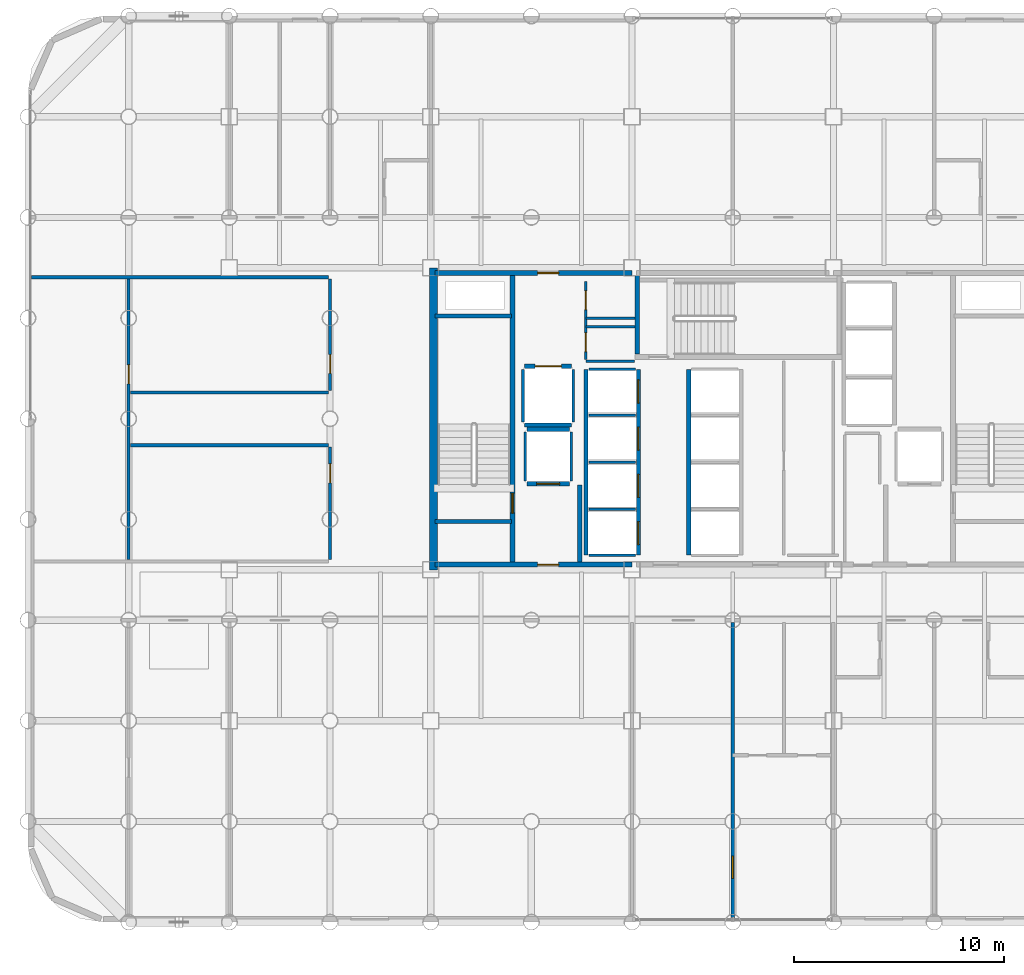
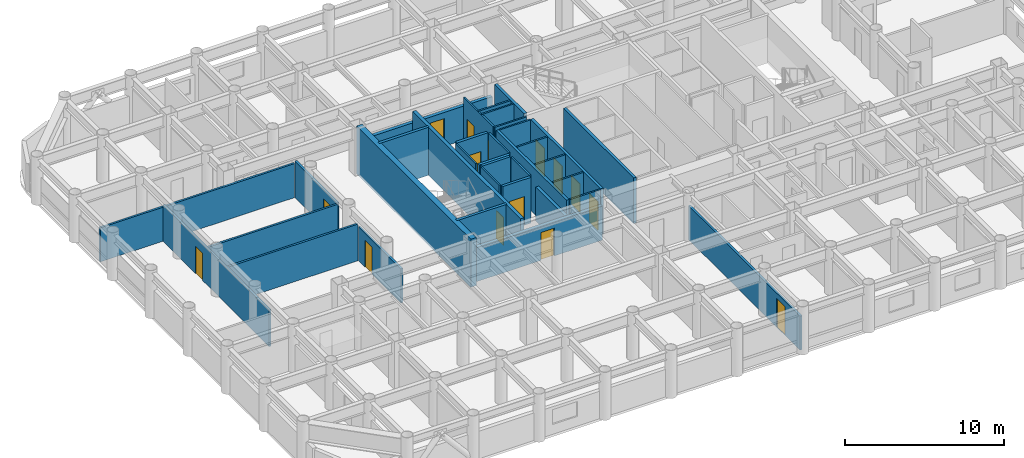
# One storey, part 16 of 22: 35 walls, 15 doors, 15 openings.
"""IFC4 building model written with IfcOpenShell, lengths in metres."""

from ifc_helpers import new_model, si_unit, direction, frame, frame_2d, origin, place, context, subcontext, project, spatial, rectangle, extrude, material, layer, layer_set, type_object, element, fill, save


model = new_model("IFC4")

# Units and contexts
model_context = context("Model", 3, precision=1e-05, world=origin(), true_north=direction((0.0, 1.0)))
body_context = subcontext(model_context, "Body", "Model", "MODEL_VIEW")
ifc_project = project(units=[si_unit("LENGTHUNIT", "METRE"), si_unit("AREAUNIT", "SQUARE_METRE"), si_unit("VOLUMEUNIT", "CUBIC_METRE"), si_unit("PLANEANGLEUNIT", "RADIAN"), si_unit("MASSUNIT", "GRAM", prefix="KILO")], contexts=[model_context])

# Site, building, storey
site_placement = place(None, origin())
site = spatial("IfcSite", under=ifc_project, at=site_placement, CompositionType="ELEMENT")
building_placement = place(site_placement, origin())
building = spatial("IfcBuilding", under=site, at=building_placement, Name="Kallvorn Hotel Tower", CompositionType="ELEMENT")
storey_placement = place(building_placement, frame((0.0, 0.0, 48.5)))
storey = spatial("IfcBuildingStorey", under=building, at=storey_placement, Name="L10", CompositionType="ELEMENT", Elevation=48.5)

# Wall
ifc_material_1 = material(Name="Concrete C50/60", Category="concrete")
ifc_layer_1 = layer(ifc_material_1, 0.39990234375)
ifc_layer_set_1 = layer_set([ifc_layer_1], Name="WL_CORE_400")
wall_type_1 = type_object("IfcWallType", Name="WL_CORE_400", PredefinedType="SHEAR", material=ifc_layer_set_1)
wall_1_placement = place(storey_placement, frame((-14.264892578125, -7.199951171875, -0.179931640625), z_axis=(0.0, 0.0, 1.0), x_axis=(0.0, 1.0, 0.0)))
element("IfcWall", 1, at=wall_1_placement, inside=storey, type_object=wall_type_1, Name="L10 Core West Shear Wall", PredefinedType="SHEAR", context=body_context, shape_type="SweptSolid", body=[
    extrude(rectangle(XDim=14.39990234375, YDim=0.39990234375, at=frame_2d((7.199951171875, 0.0))), origin(), (0.0, 0.0, 1.0), 3.699951171875),
])

# Wall, opening, door
ifc_material_2 = material(Name="Fire-rated double-layer acoustic gypsum drywall EI 60")
ifc_layer_2 = layer(ifc_material_2, 0.159912109375)
ifc_layer_set_2 = layer_set([ifc_layer_2], Name="WL_DEMISE_160")
wall_type_2 = type_object("IfcWallType", Name="WL_DEMISE_160", PredefinedType="PARTITIONING", material=ifc_layer_set_2)
wall_2_placement = place(storey_placement, frame((0.0, -23.794921875, 0.0), z_axis=(0.0, 0.0, 1.0), x_axis=(0.0, 1.0, 0.0)))
wall_2 = element("IfcWall", 2, at=wall_2_placement, inside=storey, type_object=wall_type_2, Name="L10 Suite 1003 Executive Bedroom Partition", PredefinedType="PARTITIONING", context=body_context, shape_type="SweptSolid", body=[
    extrude(rectangle(XDim=14.074951171875, YDim=0.159912109375, at=frame_2d((7.03759765625, 0.0))), origin(), (0.0, 0.0, 1.0), 2.6201171875),
])
opening_1_placement = place(wall_2_placement, frame((1.88818359375, 0.0, 0.0)))
opening_1 = element("IfcOpeningElement", 3, at=opening_1_placement, cuts=wall_2, Name="Opening GD2", PredefinedType="OPENING", context=body_context, shape_type="SweptSolid", body=[
    extrude(rectangle(XDim=1.050048828125, YDim=2.199951171875, at=frame_2d((0.52490234375, 1.10009765625))), frame((0.0, 0.094970703125, 0.0), z_axis=(0.0, -1.0, 0.0), x_axis=(1.0, 0.0, 0.0)), (0.0, 0.0, 1.0), 0.18994140625),
])
ifc_material_3 = material(Name="Solid-core walnut veneer fire-rated timber door leaf", Category="wood")
door_type_1 = type_object("IfcDoorType", Name="DR_SUITE_1050x2200", OperationType="NOTDEFINED", PredefinedType="DOOR", material=ifc_material_3)
door_1_placement = place(opening_1_placement, origin())
door_1 = element("IfcDoor", 4, at=door_1_placement, inside=storey, type_object=door_type_1, Name="L10 Suite 1003 Executive Bedroom Door", OperationType="SINGLE_SWING_LEFT", OverallHeight=2.199951171875, OverallWidth=1.050048828125, PredefinedType="DOOR", context=body_context, shape_type="SweptSolid", body=[
    extrude(rectangle(XDim=1.050048828125, YDim=2.199951171875, at=frame_2d((0.52490234375, 1.10009765625))), frame((0.0, 0.02490234375, 0.0), z_axis=(0.0, -1.0, 0.0), x_axis=(1.0, 0.0, 0.0)), (0.0, 0.0, 1.0), 0.050048828125),
])
fill(opening_1, door_1)

# Walls
ifc_material_4 = material(Name="Concrete C40/50", Category="concrete")
ifc_layer_3 = layer(ifc_material_4, 0.219970703125)
ifc_layer_set_3 = layer_set([ifc_layer_3], Name="WL_FFL_220")
wall_type_3 = type_object("IfcWallType", Name="WL_FFL_220", PredefinedType="SOLIDWALL", material=ifc_layer_set_3)
wall_3_placement = place(storey_placement, frame((-7.300048828125, -6.820068359375, 0.0), z_axis=(0.0, 0.0, 1.0), x_axis=(0.0, 1.0, 0.0)))
element("IfcWall", 5, at=wall_3_placement, inside=storey, type_object=wall_type_3, Name="L10 Firefighting Lobby West Divider Wall", PredefinedType="SOLIDWALL", context=body_context, shape_type="SweptSolid", body=[
    extrude(rectangle(XDim=3.670166015625, YDim=0.219970703125, at=frame_2d((1.8349609375, 0.0))), origin(), (0.0, 0.0, 1.0), 2.6201171875),
])
ifc_material_5 = material(Name="Concrete C40/50", Category="concrete")
ifc_layer_4 = layer(ifc_material_5, 0.199951171875)
ifc_layer_set_4 = layer_set([ifc_layer_4], Name="WL_HOIST_200")
wall_type_4 = type_object("IfcWallType", Name="WL_HOIST_200", PredefinedType="SOLIDWALL", material=ifc_layer_set_4)
for number, where, z_axis, x_axis, name in (
    (6, (-14.199951171875, -4.89990234375, -0.179931640625), (0.0, 0.0, 1.0), (1.0, 0.0, 0.0), "L10 Stair ST1 South Wall"),
    (7, (-14.199951171875, 4.89990234375, -0.179931640625), (0.0, 0.0, 1.0), (1.0, 0.0, 0.0), "L10 Stair ST1 North Wall"),
):
    element("IfcWall", number, at=place(storey_placement, frame(where, z_axis=z_axis, x_axis=x_axis)), inside=storey, type_object=wall_type_4, Name=name, PredefinedType="SOLIDWALL", context=body_context, shape_type="SweptSolid", body=[
        extrude(rectangle(XDim=3.64990234375, YDim=0.199951171875, at=frame_2d((1.824951171875, 0.0))), origin(), (0.0, 0.0, 1.0), 3.699951171875),
    ])
wall_4_placement = place(storey_placement, frame((-4.550048828125, 3.080078125, -0.179931640625), z_axis=(0.0, 0.0, 1.0), x_axis=(0.0, 1.0, 0.0)))
element("IfcWall", 8, at=wall_4_placement, inside=storey, type_object=wall_type_4, Name="L10 Stair ST3 West Wall", PredefinedType="SOLIDWALL", context=body_context, shape_type="SweptSolid", body=[
    extrude(rectangle(XDim=3.739990234375, YDim=0.199951171875, at=frame_2d((1.8701171875, 0.0))), origin(), (0.0, 0.0, 1.0), 3.699951171875),
])

# Wall, openings, doors
wall_5_placement = place(storey_placement, frame((-4.5, -6.5, 0.0), z_axis=(0.0, 0.0, 1.0), x_axis=(0.0, 1.0, 0.0)))
wall_5 = element("IfcWall", 9, at=wall_5_placement, inside=storey, type_object=wall_type_4, Name="L10 Lift Bank B1 Landing Wall", PredefinedType="SOLIDWALL", context=body_context, shape_type="SweptSolid", body=[
    extrude(rectangle(XDim=8.85009765625, YDim=0.199951171875, at=frame_2d((4.425048828125, 0.0))), origin(), (0.0, 0.0, 1.0), 3.52001953125),
])
opening_2_placement = place(wall_5_placement, frame((0.5, 0.0, 0.0)))
opening_2 = element("IfcOpeningElement", 10, at=opening_2_placement, cuts=wall_5, Name="Opening LD-PL-01", PredefinedType="OPENING", context=body_context, shape_type="SweptSolid", body=[
    extrude(rectangle(XDim=1.10009765625, YDim=2.199951171875, at=frame_2d((0.550048828125, 1.10009765625))), frame((0.0, 0.114990234375, 0.0), z_axis=(0.0, -1.0, 0.0), x_axis=(1.0, 0.0, 0.0)), (0.0, 0.0, 1.0), 0.22998046875),
])
opening_3_placement = place(wall_5_placement, frame((2.75, 0.0, 0.0)))
opening_3 = element("IfcOpeningElement", 11, at=opening_3_placement, cuts=wall_5, Name="Opening LD-PL-02", PredefinedType="OPENING", context=body_context, shape_type="SweptSolid", body=[
    extrude(rectangle(XDim=1.10009765625, YDim=2.199951171875, at=frame_2d((0.550048828125, 1.10009765625))), frame((0.0, 0.114990234375, 0.0), z_axis=(0.0, -1.0, 0.0), x_axis=(1.0, 0.0, 0.0)), (0.0, 0.0, 1.0), 0.22998046875),
])
opening_4_placement = place(wall_5_placement, frame((5.0, 0.0, 0.0)))
opening_4 = element("IfcOpeningElement", 12, at=opening_4_placement, cuts=wall_5, Name="Opening LD-PL-03", PredefinedType="OPENING", context=body_context, shape_type="SweptSolid", body=[
    extrude(rectangle(XDim=1.10009765625, YDim=2.199951171875, at=frame_2d((0.550048828125, 1.10009765625))), frame((0.0, 0.114990234375, 0.0), z_axis=(0.0, -1.0, 0.0), x_axis=(1.0, 0.0, 0.0)), (0.0, 0.0, 1.0), 0.22998046875),
])
opening_5_placement = place(wall_5_placement, frame((7.25, 0.0, 0.0)))
opening_5 = element("IfcOpeningElement", 13, at=opening_5_placement, cuts=wall_5, Name="Opening LD-PL-04", PredefinedType="OPENING", context=body_context, shape_type="SweptSolid", body=[
    extrude(rectangle(XDim=1.10009765625, YDim=2.199951171875, at=frame_2d((0.550048828125, 1.10009765625))), frame((0.0, 0.114990234375, 0.0), z_axis=(0.0, -1.0, 0.0), x_axis=(1.0, 0.0, 0.0)), (0.0, 0.0, 1.0), 0.22998046875),
])
ifc_material_6 = material(Name="Brushed stainless-steel automatic sliding lift landing door", Category="steel")
door_type_2 = type_object("IfcDoorType", Name="LD_PASS_1100x2200", OperationType="SLIDING_TO_LEFT", PredefinedType="DOOR", material=ifc_material_6)
door_2_placement = place(opening_2_placement, origin())
door_2 = element("IfcDoor", 14, at=door_2_placement, inside=storey, type_object=door_type_2, Name="L10 Lift Landing Sliding Door LD-PL-01", OperationType="SLIDING_TO_LEFT", OverallHeight=2.199951171875, OverallWidth=1.10009765625, PredefinedType="DOOR", context=body_context, shape_type="SweptSolid", body=[
    extrude(rectangle(XDim=1.10009765625, YDim=2.199951171875, at=frame_2d((0.550048828125, 1.10009765625))), frame((0.0, 0.02490234375, 0.0), z_axis=(0.0, -1.0, 0.0), x_axis=(1.0, 0.0, 0.0)), (0.0, 0.0, 1.0), 0.050048828125),
])
fill(opening_2, door_2)
door_3_placement = place(opening_3_placement, origin())
door_3 = element("IfcDoor", 15, at=door_3_placement, inside=storey, type_object=door_type_2, Name="L10 Lift Landing Sliding Door LD-PL-02", OperationType="SLIDING_TO_LEFT", OverallHeight=2.199951171875, OverallWidth=1.10009765625, PredefinedType="DOOR", context=body_context, shape_type="SweptSolid", body=[
    extrude(rectangle(XDim=1.10009765625, YDim=2.199951171875, at=frame_2d((0.550048828125, 1.10009765625))), frame((0.0, 0.02490234375, 0.0), z_axis=(0.0, -1.0, 0.0), x_axis=(1.0, 0.0, 0.0)), (0.0, 0.0, 1.0), 0.050048828125),
])
fill(opening_3, door_3)
door_4_placement = place(opening_4_placement, origin())
door_4 = element("IfcDoor", 16, at=door_4_placement, inside=storey, type_object=door_type_2, Name="L10 Lift Landing Sliding Door LD-PL-03", OperationType="SLIDING_TO_LEFT", OverallHeight=2.199951171875, OverallWidth=1.10009765625, PredefinedType="DOOR", context=body_context, shape_type="SweptSolid", body=[
    extrude(rectangle(XDim=1.10009765625, YDim=2.199951171875, at=frame_2d((0.550048828125, 1.10009765625))), frame((0.0, 0.02490234375, 0.0), z_axis=(0.0, -1.0, 0.0), x_axis=(1.0, 0.0, 0.0)), (0.0, 0.0, 1.0), 0.050048828125),
])
fill(opening_4, door_4)
door_5_placement = place(opening_5_placement, origin())
door_5 = element("IfcDoor", 17, at=door_5_placement, inside=storey, type_object=door_type_2, Name="L10 Lift Landing Sliding Door LD-PL-04", OperationType="SLIDING_TO_LEFT", OverallHeight=2.199951171875, OverallWidth=1.10009765625, PredefinedType="DOOR", context=body_context, shape_type="SweptSolid", body=[
    extrude(rectangle(XDim=1.10009765625, YDim=2.199951171875, at=frame_2d((0.550048828125, 1.10009765625))), frame((0.0, 0.02490234375, 0.0), z_axis=(0.0, -1.0, 0.0), x_axis=(1.0, 0.0, 0.0)), (0.0, 0.0, 1.0), 0.050048828125),
])
fill(opening_5, door_5)

# Walls
for number, where, z_axis, x_axis, name in (
    (18, (-7.0, -6.5, 0.0), (0.0, 0.0, 1.0), (0.0, 1.0, 0.0), "L10 Lift Bank B1 Rear Shaft Wall"),
    (19, (-2.10009765625, -6.5, 0.0), (0.0, 0.0, 1.0), (0.0, 1.0, 0.0), "L10 Lift Bank B2 Landing Wall"),
):
    element("IfcWall", number, at=place(storey_placement, frame(where, z_axis=z_axis, x_axis=x_axis)), inside=storey, type_object=wall_type_4, Name=name, PredefinedType="SOLIDWALL", context=body_context, shape_type="SweptSolid", body=[
        extrude(rectangle(XDim=8.85009765625, YDim=0.199951171875, at=frame_2d((4.425048828125, 0.0))), origin(), (0.0, 0.0, 1.0), 3.52001953125),
    ])

# Wall, opening, door
wall_6_placement = place(storey_placement, frame((-9.820068359375, -3.10009765625, 0.0), z_axis=(0.0, 0.0, 1.0), x_axis=(1.0, 0.0, 0.0)))
wall_6 = element("IfcWall", 20, at=wall_6_placement, inside=storey, type_object=wall_type_4, Name="L10 FL-1 Landing Wall", PredefinedType="SOLIDWALL", context=body_context, shape_type="SweptSolid", body=[
    extrude(rectangle(XDim=2.0400390625, YDim=0.199951171875, at=frame_2d((1.02001953125, 0.0))), origin(), (0.0, 0.0, 1.0), 3.52001953125),
])
opening_6_placement = place(wall_6_placement, frame((0.469970703125, 0.0, 0.0)))
opening_6 = element("IfcOpeningElement", 21, at=opening_6_placement, cuts=wall_6, Name="Opening LD-FL-1", PredefinedType="OPENING", context=body_context, shape_type="SweptSolid", body=[
    extrude(rectangle(XDim=1.10009765625, YDim=2.199951171875, at=frame_2d((0.550048828125, 1.10009765625))), frame((0.0, 0.114990234375, 0.0), z_axis=(0.0, -1.0, 0.0), x_axis=(1.0, 0.0, 0.0)), (0.0, 0.0, 1.0), 0.22998046875),
])
door_6_placement = place(opening_6_placement, origin())
door_6 = element("IfcDoor", 22, at=door_6_placement, inside=storey, type_object=door_type_2, Name="L10 Lift Landing Sliding Door LD-FL-1", OperationType="SLIDING_TO_LEFT", OverallHeight=2.199951171875, OverallWidth=1.10009765625, PredefinedType="DOOR", context=body_context, shape_type="SweptSolid", body=[
    extrude(rectangle(XDim=1.10009765625, YDim=2.199951171875, at=frame_2d((0.550048828125, 1.10009765625))), frame((0.0, 0.02490234375, 0.0), z_axis=(0.0, -1.0, 0.0), x_axis=(1.0, 0.0, 0.0)), (0.0, 0.0, 1.0), 0.050048828125),
])
fill(opening_6, door_6)

# Wall
wall_7_placement = place(storey_placement, frame((-9.820068359375, -0.5, 0.0), z_axis=(0.0, 0.0, 1.0), x_axis=(1.0, 0.0, 0.0)))
element("IfcWall", 23, at=wall_7_placement, inside=storey, type_object=wall_type_4, Name="L10 FL-1 Rear Shaft Wall", PredefinedType="SOLIDWALL", context=body_context, shape_type="SweptSolid", body=[
    extrude(rectangle(XDim=2.0400390625, YDim=0.199951171875, at=frame_2d((1.02001953125, 0.0))), origin(), (0.0, 0.0, 1.0), 3.52001953125),
])

# Wall, opening, door
wall_8_placement = place(storey_placement, frame((-9.919921875, 2.5, 0.0), z_axis=(0.0, 0.0, 1.0), x_axis=(1.0, 0.0, 0.0)))
wall_8 = element("IfcWall", 24, at=wall_8_placement, inside=storey, type_object=wall_type_4, Name="L10 SV-01 Landing Wall", PredefinedType="SOLIDWALL", context=body_context, shape_type="SweptSolid", body=[
    extrude(rectangle(XDim=2.239990234375, YDim=0.199951171875, at=frame_2d((1.1201171875, 0.0))), origin(), (0.0, 0.0, 1.0), 3.52001953125),
])
opening_7_placement = place(wall_8_placement, frame((0.4951171875, 0.0, 0.0)))
opening_7 = element("IfcOpeningElement", 25, at=opening_7_placement, cuts=wall_8, Name="Opening LD-SV-01", PredefinedType="OPENING", context=body_context, shape_type="SweptSolid", body=[
    extrude(rectangle(XDim=1.25, YDim=2.25, at=frame_2d((0.625, 1.125))), frame((0.0, 0.114990234375, 0.0), z_axis=(0.0, -1.0, 0.0), x_axis=(1.0, 0.0, 0.0)), (0.0, 0.0, 1.0), 0.22998046875),
])
ifc_material_7 = material(Name="Brushed stainless-steel automatic sliding lift landing door", Category="steel")
door_type_3 = type_object("IfcDoorType", Name="LD_SERV_1250x2250", OperationType="SLIDING_TO_LEFT", PredefinedType="DOOR", material=ifc_material_7)
door_7_placement = place(opening_7_placement, origin())
door_7 = element("IfcDoor", 26, at=door_7_placement, inside=storey, type_object=door_type_3, Name="L10 Lift Landing Sliding Door LD-SV-01", OperationType="SLIDING_TO_LEFT", OverallHeight=2.25, OverallWidth=1.25, PredefinedType="DOOR", context=body_context, shape_type="SweptSolid", body=[
    extrude(rectangle(XDim=1.25, YDim=2.25, at=frame_2d((0.625, 1.125))), frame((0.0, 0.02490234375, 0.0), z_axis=(0.0, -1.0, 0.0), x_axis=(1.0, 0.0, 0.0)), (0.0, 0.0, 1.0), 0.050048828125),
])
fill(opening_7, door_7)

# Walls
wall_9_placement = place(storey_placement, frame((-9.919921875, -0.300048828125, 0.0), z_axis=(0.0, 0.0, 1.0), x_axis=(1.0, 0.0, 0.0)))
element("IfcWall", 27, at=wall_9_placement, inside=storey, type_object=wall_type_4, Name="L10 SV-01 Rear Shaft Wall", PredefinedType="SOLIDWALL", context=body_context, shape_type="SweptSolid", body=[
    extrude(rectangle(XDim=2.239990234375, YDim=0.199951171875, at=frame_2d((1.1201171875, 0.0))), origin(), (0.0, 0.0, 1.0), 3.52001953125),
])
ifc_material_8 = material(Name="Fire-rated double-layer acoustic gypsum drywall EI 60")
ifc_layer_5 = layer(ifc_material_8, 0.1201171875)
ifc_layer_set_5 = layer_set([ifc_layer_5], Name="WL_INT_120")
wall_type_5 = type_object("IfcWallType", Name="WL_INT_120", PredefinedType="PARTITIONING", material=ifc_layer_set_5)
for number, where, z_axis, x_axis, name in (
    (28, (-6.860107421875, -6.5, 0.0), (0.0, 0.0, 1.0), (1.0, 0.0, 0.0), "L10 Lift Bank B1 South Closure Wall"),
    (29, (-6.860107421875, -4.324951171875, 0.0), (0.0, 0.0, 1.0), (1.0, 0.0, 0.0), "L10 PL-01 Hoistway Divider"),
    (30, (-6.860107421875, -2.074951171875, 0.0), (0.0, 0.0, 1.0), (1.0, 0.0, 0.0), "L10 PL-02 Hoistway Divider"),
    (31, (-6.860107421875, 0.175048828125, 0.0), (0.0, 0.0, 1.0), (1.0, 0.0, 0.0), "L10 PL-03 Hoistway Divider"),
    (32, (-6.860107421875, 2.35009765625, 0.0), (0.0, 0.0, 1.0), (1.0, 0.0, 0.0), "L10 PL-04 Hoistway Divider"),
):
    element("IfcWall", number, at=place(storey_placement, frame(where, z_axis=z_axis, x_axis=x_axis)), inside=storey, type_object=wall_type_5, Name=name, PredefinedType="PARTITIONING", context=body_context, shape_type="SweptSolid", body=[
        extrude(rectangle(XDim=2.22021484375, YDim=0.1201171875, at=frame_2d((1.110107421875, 0.0))), origin(), (0.0, 0.0, 1.0), 3.52001953125),
    ])
for number, where, z_axis, x_axis, name in (
    (33, (-9.89990234375, -2.9599609375, 0.0), (0.0, 0.0, 1.0), (0.0, 1.0, 0.0), "L10 FL-1 West Shaft Wall"),
    (34, (-7.699951171875, -2.9599609375, 0.0), (0.0, 0.0, 1.0), (0.0, 1.0, 0.0), "L10 FL-1 East Shaft Wall"),
):
    element("IfcWall", number, at=place(storey_placement, frame(where, z_axis=z_axis, x_axis=x_axis)), inside=storey, type_object=wall_type_5, Name=name, PredefinedType="PARTITIONING", context=body_context, shape_type="SweptSolid", body=[
        extrude(rectangle(XDim=2.320068359375, YDim=0.1201171875, at=frame_2d((1.16015625, 0.0))), origin(), (0.0, 0.0, 1.0), 3.52001953125),
    ])
for number, where, z_axis, x_axis, name in (
    (35, (-10.0, -0.159912109375, 0.0), (0.0, 0.0, 1.0), (0.0, 1.0, 0.0), "L10 SV-01 West Shaft Wall"),
    (36, (-7.60009765625, -0.159912109375, 0.0), (0.0, 0.0, 1.0), (0.0, 1.0, 0.0), "L10 SV-01 East Shaft Wall"),
):
    element("IfcWall", number, at=place(storey_placement, frame(where, z_axis=z_axis, x_axis=x_axis)), inside=storey, type_object=wall_type_5, Name=name, PredefinedType="PARTITIONING", context=body_context, shape_type="SweptSolid", body=[
        extrude(rectangle(XDim=2.52001953125, YDim=0.1201171875, at=frame_2d((1.260009765625, 0.0))), origin(), (0.0, 0.0, 1.0), 3.52001953125),
    ])
wall_10_placement = place(storey_placement, frame((-7.0, 2.75, 0.0), z_axis=(0.0, 0.0, 1.0), x_axis=(1.0, 0.0, 0.0)))
element("IfcWall", 37, at=wall_10_placement, inside=storey, type_object=wall_type_5, Name="L10 Core Ice and Vending Pantry Partition", PredefinedType="PARTITIONING", context=body_context, shape_type="SweptSolid", body=[
    extrude(rectangle(XDim=2.31005859375, YDim=0.1201171875, at=frame_2d((1.155029296875, 0.0))), origin(), (0.0, 0.0, 1.0), 3.52001953125),
])
for number, where, z_axis, x_axis, name in (
    (38, (-7.0, 4.38330078125, 0.0), (0.0, 0.0, 1.0), (1.0, 0.0, 0.0), "L10 Core Ice and Vending Pantry Partition"),
    (39, (-7.0, 4.800048828125, 0.0), (0.0, 0.0, 1.0), (1.0, 0.0, 0.0), "L10 Core Linen Supply Closet Partition"),
):
    element("IfcWall", number, at=place(storey_placement, frame(where, z_axis=z_axis, x_axis=x_axis)), inside=storey, type_object=wall_type_5, Name=name, PredefinedType="PARTITIONING", context=body_context, shape_type="SweptSolid", body=[
        extrude(rectangle(XDim=2.35009765625, YDim=0.1201171875, at=frame_2d((1.175048828125, 0.0))), origin(), (0.0, 0.0, 1.0), 3.52001953125),
    ])

# Wall, openings, doors
wall_11_placement = place(storey_placement, frame((-7.0, 2.8349609375, 0.0), z_axis=(0.0, 0.0, 1.0), x_axis=(0.0, 1.0, 0.0)))
wall_11 = element("IfcWall", 40, at=wall_11_placement, inside=storey, type_object=wall_type_5, Name="L10 Core Ice and Vending Pantry Partition", PredefinedType="PARTITIONING", context=body_context, shape_type="SweptSolid", body=[
    extrude(rectangle(XDim=3.715087890625, YDim=0.1201171875, at=frame_2d((1.857421875, 0.0))), origin(), (0.0, 0.0, 1.0), 3.52001953125),
])
opening_8_placement = place(wall_11_placement, frame((0.364990234375, 0.0, 0.0)))
opening_8 = element("IfcOpeningElement", 41, at=opening_8_placement, cuts=wall_11, Name="Opening SVD1", PredefinedType="OPENING", context=body_context, shape_type="SweptSolid", body=[
    extrude(rectangle(XDim=0.89990234375, YDim=2.10009765625, at=frame_2d((0.449951171875, 1.050048828125))), frame((0.0, 0.074951171875, 0.0), z_axis=(0.0, -1.0, 0.0), x_axis=(1.0, 0.0, 0.0)), (0.0, 0.0, 1.0), 0.150146484375),
])
opening_9_placement = place(wall_11_placement, frame((2.364990234375, 0.0, 0.0)))
opening_9 = element("IfcOpeningElement", 42, at=opening_9_placement, cuts=wall_11, Name="Opening SVD1", PredefinedType="OPENING", context=body_context, shape_type="SweptSolid", body=[
    extrude(rectangle(XDim=0.89990234375, YDim=2.10009765625, at=frame_2d((0.449951171875, 1.050048828125))), frame((0.0, 0.074951171875, 0.0), z_axis=(0.0, -1.0, 0.0), x_axis=(1.0, 0.0, 0.0)), (0.0, 0.0, 1.0), 0.150146484375),
])
ifc_material_9 = material(Name="Galvanised painted steel fire-rated door assembly", Category="steel")
door_type_4 = type_object("IfcDoorType", Name="DR_SERV_900x2100", OperationType="NOTDEFINED", PredefinedType="DOOR", material=ifc_material_9)
door_8_placement = place(opening_8_placement, origin())
door_8 = element("IfcDoor", 43, at=door_8_placement, inside=storey, type_object=door_type_4, Name="L10 Core Ice and Vending Pantry Door", OperationType="SINGLE_SWING_RIGHT", OverallHeight=2.10009765625, OverallWidth=0.89990234375, PredefinedType="DOOR", context=body_context, shape_type="SweptSolid", body=[
    extrude(rectangle(XDim=0.89990234375, YDim=2.10009765625, at=frame_2d((0.449951171875, 1.050048828125))), frame((0.0, 0.02490234375, 0.0), z_axis=(0.0, -1.0, 0.0), x_axis=(1.0, 0.0, 0.0)), (0.0, 0.0, 1.0), 0.050048828125),
])
fill(opening_8, door_8)
door_9_placement = place(opening_9_placement, origin())
door_9 = element("IfcDoor", 44, at=door_9_placement, inside=storey, type_object=door_type_4, Name="L10 Core Linen Supply Closet Door", OperationType="SINGLE_SWING_RIGHT", OverallHeight=2.10009765625, OverallWidth=0.89990234375, PredefinedType="DOOR", context=body_context, shape_type="SweptSolid", body=[
    extrude(rectangle(XDim=0.89990234375, YDim=2.10009765625, at=frame_2d((0.449951171875, 1.050048828125))), frame((0.0, 0.02490234375, 0.0), z_axis=(0.0, -1.0, 0.0), x_axis=(1.0, 0.0, 0.0)), (0.0, 0.0, 1.0), 0.050048828125),
])
fill(opening_9, door_9)

# Walls
ifc_material_10 = material(Name="Fire-rated double-layer acoustic gypsum drywall EI 60")
ifc_layer_6 = layer(ifc_material_10, 0.14990234375)
ifc_layer_set_6 = layer_set([ifc_layer_6], Name="WL_PART_150")
wall_type_6 = type_object("IfcWallType", Name="WL_PART_150", PredefinedType="PARTITIONING", material=ifc_layer_set_6)
for number, where, z_axis, x_axis, name in (
    (45, (-28.719970703125, -1.260009765625, 0.0), (0.0, 0.0, 1.0), (1.0, 0.0, 0.0), "L10 L10 West Inner Club Bar Partition"),
    (46, (-28.719970703125, 1.260009765625, 0.0), (0.0, 0.0, 1.0), (1.0, 0.0, 0.0), "L10 L10 West Inner Reading Salon Partition"),
):
    element("IfcWall", number, at=place(storey_placement, frame(where, z_axis=z_axis, x_axis=x_axis)), inside=storey, type_object=wall_type_6, Name=name, PredefinedType="PARTITIONING", context=body_context, shape_type="SweptSolid", body=[
        extrude(rectangle(XDim=9.43994140625, YDim=0.14990234375, at=frame_2d((4.719970703125, 0.0))), origin(), (0.0, 0.0, 1.0), 2.820068359375),
    ])
wall_12_placement = place(storey_placement, frame((-33.429931640625, 6.75, 0.0), z_axis=(0.0, 0.0, 1.0), x_axis=(1.0, 0.0, 0.0)))
element("IfcWall", 47, at=wall_12_placement, inside=storey, type_object=wall_type_6, Name="L10 L10 W Cordillera Panorama Dining Salon Partition", PredefinedType="PARTITIONING", context=body_context, shape_type="SweptSolid", body=[
    extrude(rectangle(XDim=14.14990234375, YDim=0.14990234375, at=frame_2d((7.074951171875, 0.0))), origin(), (0.0, 0.0, 1.0), 2.6201171875),
])

# Wall, opening, door
wall_13_placement = place(storey_placement, frame((-28.800048828125, -6.715087890625, 0.0), z_axis=(0.0, 0.0, 1.0), x_axis=(0.0, 1.0, 0.0)))
wall_13 = element("IfcWall", 48, at=wall_13_placement, inside=storey, type_object=wall_type_6, Name="L10 L10 West Inner Club Bar Partition", PredefinedType="PARTITIONING", context=body_context, shape_type="SweptSolid", body=[
    extrude(rectangle(XDim=13.380126953125, YDim=0.14990234375, at=frame_2d((6.68994140625, 0.0))), origin(), (0.0, 0.0, 1.0), 2.820068359375),
])
opening_10_placement = place(wall_13_placement, frame((8.37939453125, 0.0, 0.0)))
opening_10 = element("IfcOpeningElement", 49, at=opening_10_placement, cuts=wall_13, Name="Opening SVD1", PredefinedType="OPENING", context=body_context, shape_type="SweptSolid", body=[
    extrude(rectangle(XDim=0.89990234375, YDim=2.10009765625, at=frame_2d((0.449951171875, 1.050048828125))), frame((0.0, 0.08984375, 0.0), z_axis=(0.0, -1.0, 0.0), x_axis=(1.0, 0.0, 0.0)), (0.0, 0.0, 1.0), 0.179931640625),
])
door_10_placement = place(opening_10_placement, origin())
door_10 = element("IfcDoor", 50, at=door_10_placement, inside=storey, type_object=door_type_4, Name="L10 L10 W Cordillera Panorama Dining Salon Door", OperationType="SINGLE_SWING_RIGHT", OverallHeight=2.10009765625, OverallWidth=0.89990234375, PredefinedType="DOOR", context=body_context, shape_type="SweptSolid", body=[
    extrude(rectangle(XDim=0.89990234375, YDim=2.10009765625, at=frame_2d((0.449951171875, 1.050048828125))), frame((0.0, 0.02490234375, 0.0), z_axis=(0.0, -1.0, 0.0), x_axis=(1.0, 0.0, 0.0)), (0.0, 0.0, 1.0), 0.050048828125),
])
fill(opening_10, door_10)

wall_14_placement = place(storey_placement, frame((-19.199951171875, -6.715087890625, 0.0), z_axis=(0.0, 0.0, 1.0), x_axis=(0.0, 1.0, 0.0)))
wall_14 = element("IfcWall", 51, at=wall_14_placement, inside=storey, type_object=wall_type_6, Name="L10 L10 West Inner Club Bar Partition", PredefinedType="PARTITIONING", context=body_context, shape_type="SweptSolid", body=[
    extrude(rectangle(XDim=5.3701171875, YDim=0.14990234375, at=frame_2d((2.68505859375, 0.0))), origin(), (0.0, 0.0, 1.0), 2.6201171875),
])
opening_11_placement = place(wall_14_placement, frame((3.66015625, 0.0, 0.0)))
opening_11 = element("IfcOpeningElement", 52, at=opening_11_placement, cuts=wall_14, Name="Opening SVD1", PredefinedType="OPENING", context=body_context, shape_type="SweptSolid", body=[
    extrude(rectangle(XDim=0.89990234375, YDim=2.10009765625, at=frame_2d((0.449951171875, 1.050048828125))), frame((0.0, 0.08984375, 0.0), z_axis=(0.0, -1.0, 0.0), x_axis=(1.0, 0.0, 0.0)), (0.0, 0.0, 1.0), 0.179931640625),
])
door_11_placement = place(opening_11_placement, origin())
door_11 = element("IfcDoor", 53, at=door_11_placement, inside=storey, type_object=door_type_4, Name="L10 L10 West Inner Club Bar Door", OperationType="SINGLE_SWING_RIGHT", OverallHeight=2.10009765625, OverallWidth=0.89990234375, PredefinedType="DOOR", context=body_context, shape_type="SweptSolid", body=[
    extrude(rectangle(XDim=0.89990234375, YDim=2.10009765625, at=frame_2d((0.449951171875, 1.050048828125))), frame((0.0, 0.02490234375, 0.0), z_axis=(0.0, -1.0, 0.0), x_axis=(1.0, 0.0, 0.0)), (0.0, 0.0, 1.0), 0.050048828125),
])
fill(opening_11, door_11)

wall_15_placement = place(storey_placement, frame((-19.199951171875, 1.344970703125, 0.0), z_axis=(0.0, 0.0, 1.0), x_axis=(0.0, 1.0, 0.0)))
wall_15 = element("IfcWall", 54, at=wall_15_placement, inside=storey, type_object=wall_type_6, Name="L10 L10 West Inner Reading Salon Partition", PredefinedType="PARTITIONING", context=body_context, shape_type="SweptSolid", body=[
    extrude(rectangle(XDim=5.320068359375, YDim=0.14990234375, at=frame_2d((2.66015625, 0.0))), origin(), (0.0, 0.0, 1.0), 2.820068359375),
])
opening_12_placement = place(wall_15_placement, frame((0.81689453125, 0.0, 0.0)))
opening_12 = element("IfcOpeningElement", 55, at=opening_12_placement, cuts=wall_15, Name="Opening SVD1", PredefinedType="OPENING", context=body_context, shape_type="SweptSolid", body=[
    extrude(rectangle(XDim=0.89990234375, YDim=2.10009765625, at=frame_2d((0.449951171875, 1.050048828125))), frame((0.0, 0.08984375, 0.0), z_axis=(0.0, -1.0, 0.0), x_axis=(1.0, 0.0, 0.0)), (0.0, 0.0, 1.0), 0.179931640625),
])
door_12_placement = place(opening_12_placement, origin())
door_12 = element("IfcDoor", 56, at=door_12_placement, inside=storey, type_object=door_type_4, Name="L10 L10 West Inner Reading Salon Door", OperationType="SINGLE_SWING_LEFT", OverallHeight=2.10009765625, OverallWidth=0.89990234375, PredefinedType="DOOR", context=body_context, shape_type="SweptSolid", body=[
    extrude(rectangle(XDim=0.89990234375, YDim=2.10009765625, at=frame_2d((0.449951171875, 1.050048828125))), frame((0.0, 0.02490234375, 0.0), z_axis=(0.0, -1.0, 0.0), x_axis=(1.0, 0.0, 0.0)), (0.0, 0.0, 1.0), 0.050048828125),
])
fill(opening_12, door_12)

ifc_material_11 = material(Name="Concrete C40/50", Category="concrete")
ifc_layer_7 = layer(ifc_material_11, 0.25)
ifc_layer_set_7 = layer_set([ifc_layer_7], Name="WL_SHAFT_250")
wall_type_7 = type_object("IfcWallType", Name="WL_SHAFT_250", PredefinedType="SOLIDWALL", material=ifc_layer_set_7)
wall_16_placement = place(storey_placement, frame((-14.199951171875, -6.949951171875, 0.0), z_axis=(0.0, 0.0, 1.0), x_axis=(1.0, 0.0, 0.0)))
wall_16 = element("IfcWall", 57, at=wall_16_placement, inside=storey, type_object=wall_type_7, Name="L10 Core South-West Wall", PredefinedType="SOLIDWALL", context=body_context, shape_type="SweptSolid", body=[
    extrude(rectangle(XDim=9.39990234375, YDim=0.25, at=frame_2d((4.699951171875, 0.0))), origin(), (0.0, 0.0, 1.0), 2.6201171875),
])
opening_13_placement = place(wall_16_placement, frame((4.89990234375, 0.0, 0.0)))
opening_13 = element("IfcOpeningElement", 58, at=opening_13_placement, cuts=wall_16, Name="Opening FD1", PredefinedType="OPENING", context=body_context, shape_type="SweptSolid", body=[
    extrude(rectangle(XDim=1.0, YDim=2.14990234375, at=frame_2d((0.5, 1.074951171875))), frame((0.0, 0.139892578125, 0.0), z_axis=(0.0, -1.0, 0.0), x_axis=(1.0, 0.0, 0.0)), (0.0, 0.0, 1.0), 0.280029296875),
])
ifc_material_12 = material(Name="Galvanised painted steel fire-rated door assembly", Category="steel")
door_type_5 = type_object("IfcDoorType", Name="DR_FFL_1000x2150", OperationType="NOTDEFINED", PredefinedType="DOOR", material=ifc_material_12)
door_13_placement = place(opening_13_placement, origin())
door_13 = element("IfcDoor", 59, at=door_13_placement, inside=storey, type_object=door_type_5, Name="L10 Firefighting Lobby West Door", OperationType="SINGLE_SWING_RIGHT", OverallHeight=2.14990234375, OverallWidth=1.0, PredefinedType="DOOR", context=body_context, shape_type="SweptSolid", body=[
    extrude(rectangle(XDim=1.0, YDim=2.14990234375, at=frame_2d((0.5, 1.074951171875))), frame((0.0, 0.02490234375, 0.0), z_axis=(0.0, -1.0, 0.0), x_axis=(1.0, 0.0, 0.0)), (0.0, 0.0, 1.0), 0.050048828125),
])
fill(opening_13, door_13)

wall_17_placement = place(storey_placement, frame((-14.199951171875, 6.949951171875, 0.0), z_axis=(0.0, 0.0, 1.0), x_axis=(1.0, 0.0, 0.0)))
wall_17 = element("IfcWall", 60, at=wall_17_placement, inside=storey, type_object=wall_type_7, Name="L10 Core North-West Wall", PredefinedType="SOLIDWALL", context=body_context, shape_type="SweptSolid", body=[
    extrude(rectangle(XDim=9.39990234375, YDim=0.25, at=frame_2d((4.699951171875, 0.0))), origin(), (0.0, 0.0, 1.0), 2.6201171875),
])
opening_14_placement = place(wall_17_placement, frame((4.89990234375, 0.0, 0.0)))
opening_14 = element("IfcOpeningElement", 61, at=opening_14_placement, cuts=wall_17, Name="Opening FD1", PredefinedType="OPENING", context=body_context, shape_type="SweptSolid", body=[
    extrude(rectangle(XDim=1.0, YDim=2.14990234375, at=frame_2d((0.5, 1.074951171875))), frame((0.0, 0.139892578125, 0.0), z_axis=(0.0, -1.0, 0.0), x_axis=(1.0, 0.0, 0.0)), (0.0, 0.0, 1.0), 0.280029296875),
])
door_14_placement = place(opening_14_placement, origin())
door_14 = element("IfcDoor", 62, at=door_14_placement, inside=storey, type_object=door_type_5, Name="L10 Service Lift Lobby Door", OperationType="SINGLE_SWING_LEFT", OverallHeight=2.14990234375, OverallWidth=1.0, PredefinedType="DOOR", context=body_context, shape_type="SweptSolid", body=[
    extrude(rectangle(XDim=1.0, YDim=2.14990234375, at=frame_2d((0.5, 1.074951171875))), frame((0.0, 0.02490234375, 0.0), z_axis=(0.0, -1.0, 0.0), x_axis=(1.0, 0.0, 0.0)), (0.0, 0.0, 1.0), 0.050048828125),
])
fill(opening_14, door_14)

wall_18_placement = place(storey_placement, frame((-10.5, -6.820068359375, -0.179931640625), z_axis=(0.0, 0.0, 1.0), x_axis=(0.0, 1.0, 0.0)))
wall_18 = element("IfcWall", 63, at=wall_18_placement, inside=storey, type_object=wall_type_7, Name="L10 Stair ST1 Shaft Wall", PredefinedType="SOLIDWALL", context=body_context, shape_type="SweptSolid", body=[
    extrude(rectangle(XDim=13.64013671875, YDim=0.25, at=frame_2d((6.820068359375, 0.0))), origin(), (0.0, 0.0, 1.0), 3.699951171875),
])
opening_15_placement = place(wall_18_placement, frame((2.320068359375, 0.0, 0.179931640625)))
opening_15 = element("IfcOpeningElement", 64, at=opening_15_placement, cuts=wall_18, Name="Opening SD1", PredefinedType="OPENING", context=body_context, shape_type="SweptSolid", body=[
    extrude(rectangle(XDim=0.949951171875, YDim=2.14990234375, at=frame_2d((0.47509765625, 1.074951171875))), frame((0.0, 0.139892578125, 0.0), z_axis=(0.0, -1.0, 0.0), x_axis=(1.0, 0.0, 0.0)), (0.0, 0.0, 1.0), 0.280029296875),
])
ifc_material_13 = material(Name="Galvanised painted steel fire-rated door assembly", Category="steel")
door_type_6 = type_object("IfcDoorType", Name="DR_STAIR_950x2150", OperationType="NOTDEFINED", PredefinedType="DOOR", material=ifc_material_13)
door_15_placement = place(opening_15_placement, origin())
door_15 = element("IfcDoor", 65, at=door_15_placement, inside=storey, type_object=door_type_6, Name="L10 Exit Stair ST1 Fire Door", OperationType="SINGLE_SWING_LEFT", OverallHeight=2.14990234375, OverallWidth=0.949951171875, PredefinedType="DOOR", context=body_context, shape_type="SweptSolid", body=[
    extrude(rectangle(XDim=0.949951171875, YDim=2.14990234375, at=frame_2d((0.47509765625, 1.074951171875))), frame((0.0, 0.02490234375, 0.0), z_axis=(0.0, -1.0, 0.0), x_axis=(1.0, 0.0, 0.0)), (0.0, 0.0, 1.0), 0.050048828125),
])
fill(opening_15, door_15)

save(model, "model.ifc")
